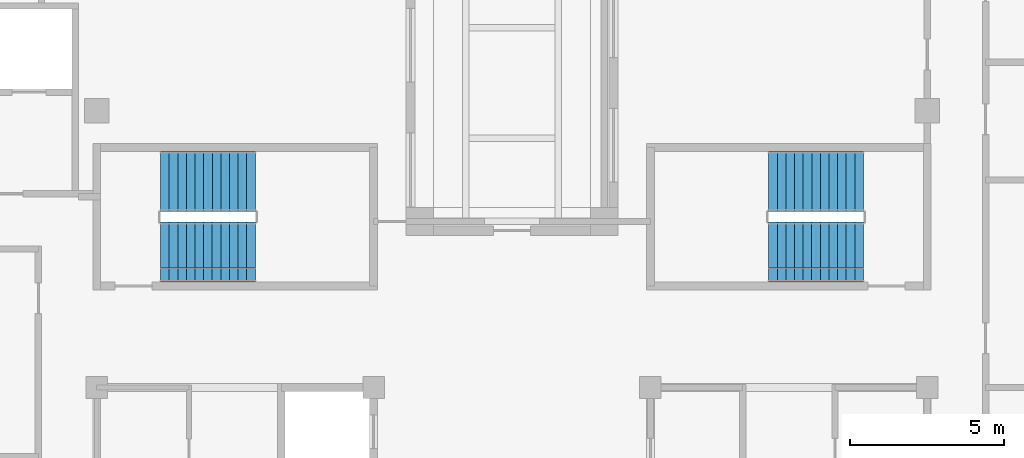
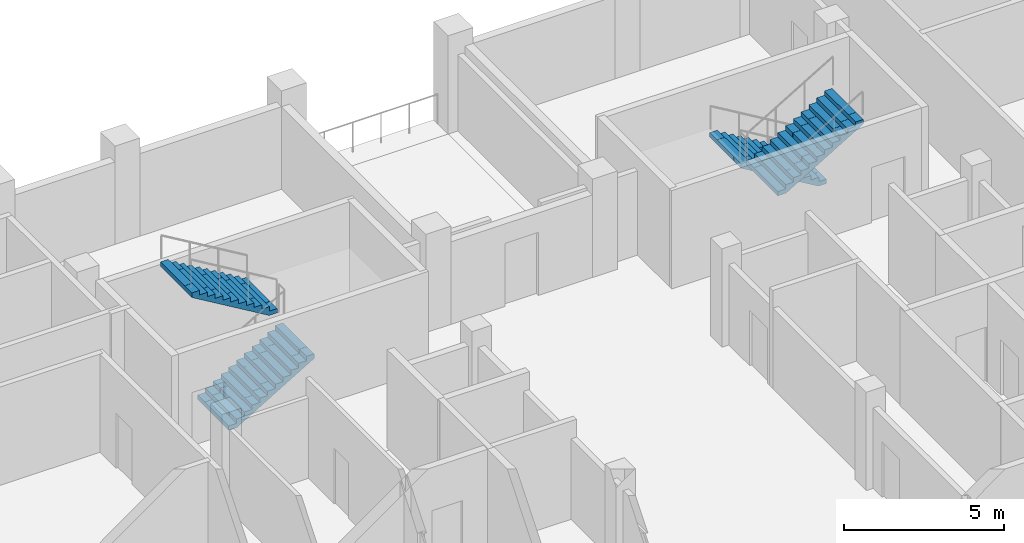
# One storey, part 8 of 9: 4 stair flights, 2 elements without a shape of their own.
"""IFC4 building model written with IfcOpenShell, lengths in metres."""

from ifc_helpers import new_model, si_unit, direction, frame, origin, place, context, subcontext, project, spatial, polyline, outline, extrude, material, type_object, element, aggregate, save


model = new_model("IFC4")

# Units and contexts
model_context = context("Model", 3, precision=1e-05, world=origin(), true_north=direction((0.0, 1.0)))
body_context = subcontext(model_context, "Body", "Model", "MODEL_VIEW")
ifc_project = project(units=[si_unit("LENGTHUNIT", "METRE"), si_unit("AREAUNIT", "SQUARE_METRE"), si_unit("VOLUMEUNIT", "CUBIC_METRE"), si_unit("PLANEANGLEUNIT", "RADIAN"), si_unit("MASSUNIT", "GRAM", prefix="KILO")], contexts=[model_context])

# Site, building, storey
site_placement = place(None, origin())
site = spatial("IfcSite", under=ifc_project, at=site_placement, CompositionType="ELEMENT")
building_placement = place(site_placement, origin())
building = spatial("IfcBuilding", under=site, at=building_placement, Name="Corbelhall Arena Tower", CompositionType="ELEMENT")
storey_placement = place(building_placement, frame((0.0, 0.0, 300.0)))
storey = spatial("IfcBuildingStorey", under=building, at=storey_placement, Name="L65", CompositionType="ELEMENT", Elevation=300.0)

# Stair, stair flights
ifc_material = material(Name="Concrete C40/50", Category="concrete")
stair_type = type_object("IfcStairType", Name="IN-ST-TOWER", PredefinedType="HALF_TURN_STAIR", material=ifc_material)
stair_1_placement = place(storey_placement, origin())
stair_1 = element("IfcStair", 1, at=stair_1_placement, inside=storey, type_object=stair_type, Name="L65 Exit stair ST1", PredefinedType="HALF_TURN_STAIR")
stair_flight_type = type_object("IfcStairFlightType", Name="IN-SFL-RC", PredefinedType="STRAIGHT", material=ifc_material)
stair_flight_1_placement = place(storey_placement, frame((-11.425048828125, 13.39990234375, 0.0), z_axis=(0.0, 0.0, 1.0), x_axis=(1.0, 0.0, 0.0)))
stair_flight_1 = element("IfcStairFlight", 2, at=stair_flight_1_placement, type_object=stair_flight_type, Name="ST1 flight 1", NumberOfRisers=12, NumberOfTreads=11, PredefinedType="STRAIGHT", RiserHeight=0.166666667, TreadLength=0.28, context=body_context, shape_type="SweptSolid", body=[
    extrude(outline(polyline([(0.0, 0.0), (0.0, 0.166748046875), (0.280029296875, 0.166748046875), (0.280029296875, 0.333251953125), (0.56005859375, 0.333251953125), (0.56005859375, 0.5), (0.840087890625, 0.5), (0.840087890625, 0.666748046875), (1.1201171875, 0.666748046875), (1.1201171875, 0.833251953125), (1.39990234375, 0.833251953125), (1.39990234375, 1.0), (1.679931640625, 1.0), (1.679931640625, 1.166748046875), (1.9599609375, 1.166748046875), (1.9599609375, 1.333251953125), (2.239990234375, 1.333251953125), (2.239990234375, 1.5), (2.52001953125, 1.5), (2.52001953125, 1.666748046875), (2.800048828125, 1.666748046875), (2.800048828125, 1.833251953125), (3.080078125, 1.833251953125), (3.080078125, 2.0), (3.080078125, 1.658935546875), (0.29296875, 0.0), (0.0, 0.0)])), frame((0.0, 0.97509765625, 0.0), z_axis=(0.0, -1.0, 0.0), x_axis=(1.0, 0.0, 0.0)), (0.0, 0.0, 1.0), 0.449951171875),
    extrude(outline(polyline([(0.0, 0.0), (0.0, 0.166748046875), (0.280029296875, 0.166748046875), (0.280029296875, 0.333251953125), (0.56005859375, 0.333251953125), (0.56005859375, 0.5), (0.840087890625, 0.5), (0.840087890625, 0.666748046875), (1.1201171875, 0.666748046875), (1.1201171875, 0.833251953125), (1.39990234375, 0.833251953125), (1.39990234375, 1.0), (1.679931640625, 1.0), (1.679931640625, 1.166748046875), (1.9599609375, 1.166748046875), (1.9599609375, 1.333251953125), (2.239990234375, 1.333251953125), (2.239990234375, 1.5), (2.52001953125, 1.5), (2.52001953125, 1.666748046875), (2.800048828125, 1.666748046875), (2.800048828125, 1.833251953125), (3.080078125, 1.833251953125), (3.080078125, 2.0), (3.080078125, 1.658935546875), (0.29296875, 0.0), (0.0, 0.0)])), frame((0.0, 0.52099609375, 0.0), z_axis=(0.0, -1.0, 0.0), x_axis=(1.0, 0.0, 0.0)), (0.0, 0.0, 1.0), 1.0419921875),
    extrude(outline(polyline([(0.0, 0.0), (0.0, 0.166748046875), (0.280029296875, 0.166748046875), (0.280029296875, 0.333251953125), (0.56005859375, 0.333251953125), (0.56005859375, 0.5), (0.840087890625, 0.5), (0.840087890625, 0.666748046875), (1.1201171875, 0.666748046875), (1.1201171875, 0.833251953125), (1.39990234375, 0.833251953125), (1.39990234375, 1.0), (1.679931640625, 1.0), (1.679931640625, 1.166748046875), (1.9599609375, 1.166748046875), (1.9599609375, 1.333251953125), (2.239990234375, 1.333251953125), (2.239990234375, 1.5), (2.52001953125, 1.5), (2.52001953125, 1.666748046875), (2.800048828125, 1.666748046875), (2.800048828125, 1.833251953125), (3.080078125, 1.833251953125), (3.080078125, 2.0), (3.080078125, 1.658935546875), (0.29296875, 0.0), (0.0, 0.0)])), frame((0.0, -0.52490234375, 0.0), z_axis=(0.0, -1.0, 0.0), x_axis=(1.0, 0.0, 0.0)), (0.0, 0.0, 1.0), 0.449951171875),
])
stair_flight_2_placement = place(storey_placement, frame((-8.344970703125, 15.699951171875, 2.0), z_axis=(0.0, 0.0, 1.0), x_axis=(-1.0, 0.0, 0.0)))
stair_flight_2 = element("IfcStairFlight", 3, at=stair_flight_2_placement, type_object=stair_flight_type, Name="ST1 flight 2", NumberOfRisers=12, NumberOfTreads=11, PredefinedType="STRAIGHT", RiserHeight=0.166666667, TreadLength=0.28, context=body_context, shape_type="SweptSolid", body=[
    extrude(outline(polyline([(0.0, 0.0), (0.0, 0.166748046875), (0.280029296875, 0.166748046875), (0.280029296875, 0.333251953125), (0.56005859375, 0.333251953125), (0.56005859375, 0.5), (0.840087890625, 0.5), (0.840087890625, 0.666748046875), (1.1201171875, 0.666748046875), (1.1201171875, 0.833251953125), (1.39990234375, 0.833251953125), (1.39990234375, 1.0), (1.679931640625, 1.0), (1.679931640625, 1.166748046875), (1.9599609375, 1.166748046875), (1.9599609375, 1.333251953125), (2.239990234375, 1.333251953125), (2.239990234375, 1.5), (2.52001953125, 1.5), (2.52001953125, 1.666748046875), (2.800048828125, 1.666748046875), (2.800048828125, 1.833251953125), (3.080078125, 1.833251953125), (3.080078125, 2.0), (3.080078125, 1.658935546875), (0.29296875, 0.0), (0.0, 0.0)])), frame((0.0, 0.97509765625, 0.0), z_axis=(0.0, -1.0, 0.0), x_axis=(1.0, 0.0, 0.0)), (0.0, 0.0, 1.0), 0.449951171875),
    extrude(outline(polyline([(0.0, 0.0), (0.0, 0.166748046875), (0.280029296875, 0.166748046875), (0.280029296875, 0.333251953125), (0.56005859375, 0.333251953125), (0.56005859375, 0.5), (0.840087890625, 0.5), (0.840087890625, 0.666748046875), (1.1201171875, 0.666748046875), (1.1201171875, 0.833251953125), (1.39990234375, 0.833251953125), (1.39990234375, 1.0), (1.679931640625, 1.0), (1.679931640625, 1.166748046875), (1.9599609375, 1.166748046875), (1.9599609375, 1.333251953125), (2.239990234375, 1.333251953125), (2.239990234375, 1.5), (2.52001953125, 1.5), (2.52001953125, 1.666748046875), (2.800048828125, 1.666748046875), (2.800048828125, 1.833251953125), (3.080078125, 1.833251953125), (3.080078125, 2.0), (3.080078125, 1.658935546875), (0.29296875, 0.0), (0.0, 0.0)])), frame((0.0, 0.52099609375, 0.0), z_axis=(0.0, -1.0, 0.0), x_axis=(1.0, 0.0, 0.0)), (0.0, 0.0, 1.0), 1.0419921875),
    extrude(outline(polyline([(0.0, 0.0), (0.0, 0.166748046875), (0.280029296875, 0.166748046875), (0.280029296875, 0.333251953125), (0.56005859375, 0.333251953125), (0.56005859375, 0.5), (0.840087890625, 0.5), (0.840087890625, 0.666748046875), (1.1201171875, 0.666748046875), (1.1201171875, 0.833251953125), (1.39990234375, 0.833251953125), (1.39990234375, 1.0), (1.679931640625, 1.0), (1.679931640625, 1.166748046875), (1.9599609375, 1.166748046875), (1.9599609375, 1.333251953125), (2.239990234375, 1.333251953125), (2.239990234375, 1.5), (2.52001953125, 1.5), (2.52001953125, 1.666748046875), (2.800048828125, 1.666748046875), (2.800048828125, 1.833251953125), (3.080078125, 1.833251953125), (3.080078125, 2.0), (3.080078125, 1.658935546875), (0.29296875, 0.0), (0.0, 0.0)])), frame((0.0, -0.52490234375, 0.0), z_axis=(0.0, -1.0, 0.0), x_axis=(1.0, 0.0, 0.0)), (0.0, 0.0, 1.0), 0.449951171875),
])
aggregate(stair_1, [stair_flight_1, stair_flight_2])

stair_2_placement = place(storey_placement, origin())
stair_2 = element("IfcStair", 4, at=stair_2_placement, inside=storey, type_object=stair_type, Name="L65 Exit stair ST3", PredefinedType="HALF_TURN_STAIR")
stair_flight_3_placement = place(storey_placement, frame((11.425048828125, 15.699951171875, 0.0), z_axis=(0.0, 0.0, 1.0), x_axis=(-1.0, 0.0, 0.0)))
stair_flight_3 = element("IfcStairFlight", 5, at=stair_flight_3_placement, type_object=stair_flight_type, Name="ST3 flight 1", NumberOfRisers=12, NumberOfTreads=11, PredefinedType="STRAIGHT", RiserHeight=0.166666667, TreadLength=0.28, context=body_context, shape_type="SweptSolid", body=[
    extrude(outline(polyline([(0.0, 0.0), (0.0, 0.166748046875), (0.280029296875, 0.166748046875), (0.280029296875, 0.333251953125), (0.56005859375, 0.333251953125), (0.56005859375, 0.5), (0.840087890625, 0.5), (0.840087890625, 0.666748046875), (1.1201171875, 0.666748046875), (1.1201171875, 0.833251953125), (1.39990234375, 0.833251953125), (1.39990234375, 1.0), (1.679931640625, 1.0), (1.679931640625, 1.166748046875), (1.9599609375, 1.166748046875), (1.9599609375, 1.333251953125), (2.239990234375, 1.333251953125), (2.239990234375, 1.5), (2.52001953125, 1.5), (2.52001953125, 1.666748046875), (2.800048828125, 1.666748046875), (2.800048828125, 1.833251953125), (3.080078125, 1.833251953125), (3.080078125, 2.0), (3.080078125, 1.658935546875), (0.29296875, 0.0), (0.0, 0.0)])), frame((0.0, 0.97509765625, 0.0), z_axis=(0.0, -1.0, 0.0), x_axis=(1.0, 0.0, 0.0)), (0.0, 0.0, 1.0), 0.449951171875),
    extrude(outline(polyline([(0.0, 0.0), (0.0, 0.166748046875), (0.280029296875, 0.166748046875), (0.280029296875, 0.333251953125), (0.56005859375, 0.333251953125), (0.56005859375, 0.5), (0.840087890625, 0.5), (0.840087890625, 0.666748046875), (1.1201171875, 0.666748046875), (1.1201171875, 0.833251953125), (1.39990234375, 0.833251953125), (1.39990234375, 1.0), (1.679931640625, 1.0), (1.679931640625, 1.166748046875), (1.9599609375, 1.166748046875), (1.9599609375, 1.333251953125), (2.239990234375, 1.333251953125), (2.239990234375, 1.5), (2.52001953125, 1.5), (2.52001953125, 1.666748046875), (2.800048828125, 1.666748046875), (2.800048828125, 1.833251953125), (3.080078125, 1.833251953125), (3.080078125, 2.0), (3.080078125, 1.658935546875), (0.29296875, 0.0), (0.0, 0.0)])), frame((0.0, 0.52099609375, 0.0), z_axis=(0.0, -1.0, 0.0), x_axis=(1.0, 0.0, 0.0)), (0.0, 0.0, 1.0), 1.0419921875),
    extrude(outline(polyline([(0.0, 0.0), (0.0, 0.166748046875), (0.280029296875, 0.166748046875), (0.280029296875, 0.333251953125), (0.56005859375, 0.333251953125), (0.56005859375, 0.5), (0.840087890625, 0.5), (0.840087890625, 0.666748046875), (1.1201171875, 0.666748046875), (1.1201171875, 0.833251953125), (1.39990234375, 0.833251953125), (1.39990234375, 1.0), (1.679931640625, 1.0), (1.679931640625, 1.166748046875), (1.9599609375, 1.166748046875), (1.9599609375, 1.333251953125), (2.239990234375, 1.333251953125), (2.239990234375, 1.5), (2.52001953125, 1.5), (2.52001953125, 1.666748046875), (2.800048828125, 1.666748046875), (2.800048828125, 1.833251953125), (3.080078125, 1.833251953125), (3.080078125, 2.0), (3.080078125, 1.658935546875), (0.29296875, 0.0), (0.0, 0.0)])), frame((0.0, -0.52490234375, 0.0), z_axis=(0.0, -1.0, 0.0), x_axis=(1.0, 0.0, 0.0)), (0.0, 0.0, 1.0), 0.449951171875),
])
stair_flight_4_placement = place(storey_placement, frame((8.344970703125, 13.39990234375, 2.0), z_axis=(0.0, 0.0, 1.0), x_axis=(1.0, 0.0, 0.0)))
stair_flight_4 = element("IfcStairFlight", 6, at=stair_flight_4_placement, type_object=stair_flight_type, Name="ST3 flight 2", NumberOfRisers=12, NumberOfTreads=11, PredefinedType="STRAIGHT", RiserHeight=0.166666667, TreadLength=0.28, context=body_context, shape_type="SweptSolid", body=[
    extrude(outline(polyline([(0.0, 0.0), (0.0, 0.166748046875), (0.280029296875, 0.166748046875), (0.280029296875, 0.333251953125), (0.56005859375, 0.333251953125), (0.56005859375, 0.5), (0.840087890625, 0.5), (0.840087890625, 0.666748046875), (1.1201171875, 0.666748046875), (1.1201171875, 0.833251953125), (1.39990234375, 0.833251953125), (1.39990234375, 1.0), (1.679931640625, 1.0), (1.679931640625, 1.166748046875), (1.9599609375, 1.166748046875), (1.9599609375, 1.333251953125), (2.239990234375, 1.333251953125), (2.239990234375, 1.5), (2.52001953125, 1.5), (2.52001953125, 1.666748046875), (2.800048828125, 1.666748046875), (2.800048828125, 1.833251953125), (3.080078125, 1.833251953125), (3.080078125, 2.0), (3.080078125, 1.658935546875), (0.29296875, 0.0), (0.0, 0.0)])), frame((0.0, 0.97509765625, 0.0), z_axis=(0.0, -1.0, 0.0), x_axis=(1.0, 0.0, 0.0)), (0.0, 0.0, 1.0), 0.449951171875),
    extrude(outline(polyline([(0.0, 0.0), (0.0, 0.166748046875), (0.280029296875, 0.166748046875), (0.280029296875, 0.333251953125), (0.56005859375, 0.333251953125), (0.56005859375, 0.5), (0.840087890625, 0.5), (0.840087890625, 0.666748046875), (1.1201171875, 0.666748046875), (1.1201171875, 0.833251953125), (1.39990234375, 0.833251953125), (1.39990234375, 1.0), (1.679931640625, 1.0), (1.679931640625, 1.166748046875), (1.9599609375, 1.166748046875), (1.9599609375, 1.333251953125), (2.239990234375, 1.333251953125), (2.239990234375, 1.5), (2.52001953125, 1.5), (2.52001953125, 1.666748046875), (2.800048828125, 1.666748046875), (2.800048828125, 1.833251953125), (3.080078125, 1.833251953125), (3.080078125, 2.0), (3.080078125, 1.658935546875), (0.29296875, 0.0), (0.0, 0.0)])), frame((0.0, 0.52099609375, 0.0), z_axis=(0.0, -1.0, 0.0), x_axis=(1.0, 0.0, 0.0)), (0.0, 0.0, 1.0), 1.0419921875),
    extrude(outline(polyline([(0.0, 0.0), (0.0, 0.166748046875), (0.280029296875, 0.166748046875), (0.280029296875, 0.333251953125), (0.56005859375, 0.333251953125), (0.56005859375, 0.5), (0.840087890625, 0.5), (0.840087890625, 0.666748046875), (1.1201171875, 0.666748046875), (1.1201171875, 0.833251953125), (1.39990234375, 0.833251953125), (1.39990234375, 1.0), (1.679931640625, 1.0), (1.679931640625, 1.166748046875), (1.9599609375, 1.166748046875), (1.9599609375, 1.333251953125), (2.239990234375, 1.333251953125), (2.239990234375, 1.5), (2.52001953125, 1.5), (2.52001953125, 1.666748046875), (2.800048828125, 1.666748046875), (2.800048828125, 1.833251953125), (3.080078125, 1.833251953125), (3.080078125, 2.0), (3.080078125, 1.658935546875), (0.29296875, 0.0), (0.0, 0.0)])), frame((0.0, -0.52490234375, 0.0), z_axis=(0.0, -1.0, 0.0), x_axis=(1.0, 0.0, 0.0)), (0.0, 0.0, 1.0), 0.449951171875),
])
aggregate(stair_2, [stair_flight_3, stair_flight_4])

save(model, "model.ifc")
